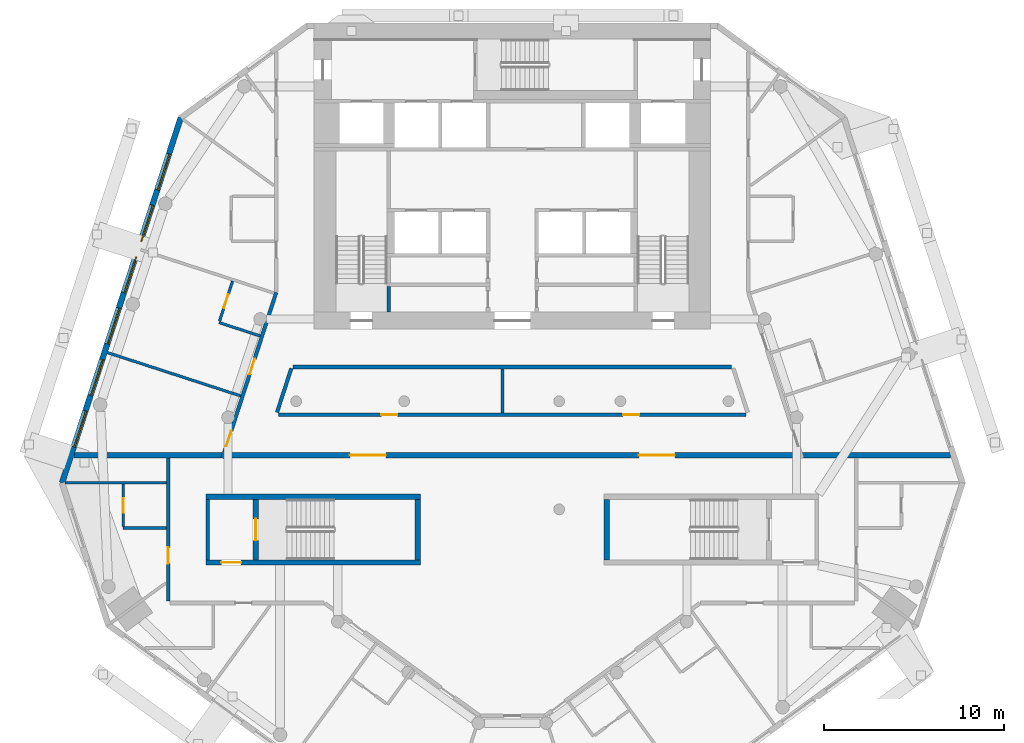
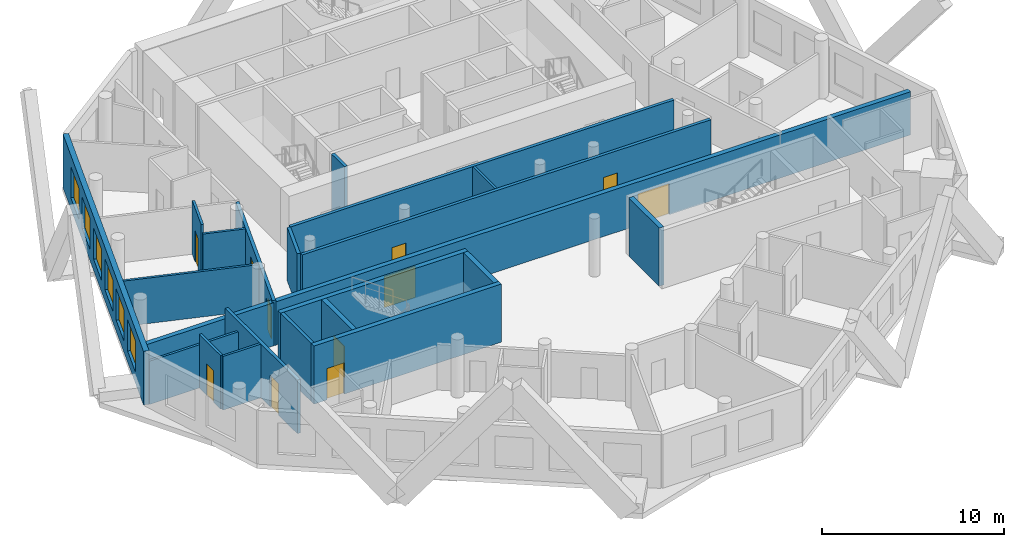
# One storey, part 4 of 10: 21 walls, 11 doors, 6 windows, 17 openings.
"""IFC4 building model written with IfcOpenShell, lengths in metres."""

from ifc_helpers import new_model, si_unit, direction, frame, frame_2d, origin, place, context, subcontext, project, spatial, rectangle, extrude, material, layer, layer_set, type_object, element, fill, save


model = new_model("IFC4")

# Units and contexts
model_context = context("Model", 3, precision=1e-05, world=origin(), true_north=direction((0.0, 1.0)))
body_context = subcontext(model_context, "Body", "Model", "MODEL_VIEW")
ifc_project = project(units=[si_unit("LENGTHUNIT", "METRE"), si_unit("AREAUNIT", "SQUARE_METRE"), si_unit("VOLUMEUNIT", "CUBIC_METRE"), si_unit("PLANEANGLEUNIT", "RADIAN"), si_unit("MASSUNIT", "GRAM", prefix="KILO")], contexts=[model_context])

# Site, building, storey
site_placement = place(None, origin())
site = spatial("IfcSite", under=ifc_project, at=site_placement, CompositionType="ELEMENT")
building_placement = place(site_placement, origin())
building = spatial("IfcBuilding", under=site, at=building_placement, Name="White Candle Pilgrim Tower", CompositionType="ELEMENT")
storey_placement = place(building_placement, frame((0.0, 0.0, 183.699951171875)))
storey = spatial("IfcBuildingStorey", under=building, at=storey_placement, Name="L42", CompositionType="ELEMENT", Elevation=183.699951171875)

# Wall
ifc_material_1 = material(Name="Concrete C60/75", Category="concrete")
ifc_layer_1 = layer(ifc_material_1, 0.199951171875)
ifc_layer_set_1 = layer_set([ifc_layer_1], Name="Core wall 200 mm Concrete C60/75")
wall_type_1 = type_object("IfcWallType", Name="Core wall 200 mm Concrete C60/75", PredefinedType="SHEAR", material=ifc_layer_set_1)
wall_1_placement = place(storey_placement, frame((53.10009765625, 58.199951171875, 0.0), z_axis=(0.0, 0.0, 1.0), x_axis=(0.0, 1.0, 0.0)))
element("IfcWall", 1, at=wall_1_placement, inside=storey, type_object=wall_type_1, Name="WL-L42-C03", PredefinedType="SHEAR", context=body_context, shape_type="SweptSolid", body=[
    extrude(rectangle(XDim=3.35009765625, YDim=0.199951171875, at=frame_2d((1.675048828125, 0.0))), origin(), (0.0, 0.0, 1.0), 3.900146484375),
])

# Wall, openings, doors
ifc_material_2 = material(Name="Gypsum board on steel studs", Category="steel")
ifc_layer_2 = layer(ifc_material_2, 0.199951171875)
ifc_layer_set_2 = layer_set([ifc_layer_2], Name="Corridor wall 200 mm EI 45")
wall_type_2 = type_object("IfcWallType", Name="Corridor wall 200 mm EI 45", PredefinedType="PARTITIONING", material=ifc_layer_set_2)
wall_2_placement = place(storey_placement, frame((53.90869140625, 63.85009765625, 0.0), z_axis=(0.0, 0.0, 1.0), x_axis=(0.309011240603, 0.95105838579, 0.0)))
wall_2 = element("IfcWall", 2, at=wall_2_placement, inside=storey, type_object=wall_type_2, Name="WL-L42-P002", PredefinedType="PARTITIONING", context=body_context, shape_type="SweptSolid", body=[
    extrude(rectangle(XDim=9.6640625, YDim=0.199951171875, at=frame_2d((4.83203125, 0.0))), origin(), (0.0, 0.0, 1.0), 3.050048828125),
])
opening_1_placement = place(wall_2_placement, frame((0.68603515625, 0.0, 0.0)))
opening_1 = element("IfcOpeningElement", 3, at=opening_1_placement, cuts=wall_2, Name="Opening T13-124", PredefinedType="OPENING", context=body_context, shape_type="SweptSolid", body=[
    extrude(rectangle(XDim=0.89990234375, YDim=2.10009765625, at=frame_2d((0.449951171875, 1.050048828125))), frame((0.0, 0.10986328125, 0.0), z_axis=(0.0, -1.0, 0.0), x_axis=(1.0, 0.0, 0.0)), (0.0, 0.0, 1.0), 0.219970703125),
])
opening_2_placement = place(wall_2_placement, frame((4.89208984375, 0.0, 0.0)))
opening_2 = element("IfcOpeningElement", 4, at=opening_2_placement, cuts=wall_2, Name="Opening T13-125", PredefinedType="OPENING", context=body_context, shape_type="SweptSolid", body=[
    extrude(rectangle(XDim=0.89990234375, YDim=2.10009765625, at=frame_2d((0.449951171875, 1.050048828125))), frame((0.0, 0.10986328125, 0.0), z_axis=(0.0, -1.0, 0.0), x_axis=(1.0, 0.0, 0.0)), (0.0, 0.0, 1.0), 0.219970703125),
])
ifc_material_3 = material(Name="Steel door leaf", Category="steel")
door_type_1 = type_object("IfcDoorType", Name="Fire door 900 x 2100 EI 30", OperationType="NOTDEFINED", PredefinedType="DOOR", material=ifc_material_3)
door_1_placement = place(opening_1_placement, origin())
door_1 = element("IfcDoor", 5, at=door_1_placement, inside=storey, type_object=door_type_1, Name="Door T13-124", OperationType="SINGLE_SWING_RIGHT", OverallHeight=2.10009765625, OverallWidth=0.89990234375, PredefinedType="DOOR", context=body_context, shape_type="SweptSolid", body=[
    extrude(rectangle(XDim=0.89990234375, YDim=2.10009765625, at=frame_2d((0.449951171875, 1.050048828125))), frame((0.0, 0.02490234375, 0.0), z_axis=(0.0, -1.0, 0.0), x_axis=(1.0, 0.0, 0.0)), (0.0, 0.0, 1.0), 0.050048828125),
])
fill(opening_1, door_1)
door_2_placement = place(opening_2_placement, origin())
door_2 = element("IfcDoor", 6, at=door_2_placement, inside=storey, type_object=door_type_1, Name="Door T13-125", OperationType="SINGLE_SWING_LEFT", OverallHeight=2.10009765625, OverallWidth=0.89990234375, PredefinedType="DOOR", context=body_context, shape_type="SweptSolid", body=[
    extrude(rectangle(XDim=0.89990234375, YDim=2.10009765625, at=frame_2d((0.449951171875, 1.050048828125))), frame((0.0, 0.02490234375, 0.0), z_axis=(0.0, -1.0, 0.0), x_axis=(1.0, 0.0, 0.0)), (0.0, 0.0, 1.0), 0.050048828125),
])
fill(opening_2, door_2)

# Wall, opening, door
wall_3_placement = place(storey_placement, frame((50.89990234375, 55.89990234375, 0.0), z_axis=(0.0, 0.0, 1.0), x_axis=(0.0, 1.0, 0.0)))
wall_3 = element("IfcWall", 7, at=wall_3_placement, inside=storey, type_object=wall_type_2, Name="WL-L42-P012", PredefinedType="PARTITIONING", context=body_context, shape_type="SweptSolid", body=[
    extrude(rectangle(XDim=7.9501953125, YDim=0.199951171875, at=frame_2d((3.97509765625, 0.0))), origin(), (0.0, 0.0, 1.0), 3.60009765625),
])
opening_3_placement = place(wall_3_placement, frame((2.088134765625, 0.0, 0.0)))
opening_3 = element("IfcOpeningElement", 8, at=opening_3_placement, cuts=wall_3, Name="Opening T13-104", PredefinedType="OPENING", context=body_context, shape_type="SweptSolid", body=[
    extrude(rectangle(XDim=0.89990234375, YDim=2.10009765625, at=frame_2d((0.449951171875, 1.050048828125))), frame((0.0, 0.10986328125, 0.0), z_axis=(0.0, -1.0, 0.0), x_axis=(1.0, 0.0, 0.0)), (0.0, 0.0, 1.0), 0.219970703125),
])
door_3_placement = place(opening_3_placement, origin())
door_3 = element("IfcDoor", 9, at=door_3_placement, inside=storey, type_object=door_type_1, Name="Door T13-104", OperationType="SINGLE_SWING_RIGHT", OverallHeight=2.10009765625, OverallWidth=0.89990234375, PredefinedType="DOOR", context=body_context, shape_type="SweptSolid", body=[
    extrude(rectangle(XDim=0.89990234375, YDim=2.10009765625, at=frame_2d((0.449951171875, 1.050048828125))), frame((0.0, 0.02490234375, 0.0), z_axis=(0.0, -1.0, 0.0), x_axis=(1.0, 0.0, 0.0)), (0.0, 0.0, 1.0), 0.050048828125),
])
fill(opening_3, door_3)

# Walls
wall_4_placement = place(storey_placement, frame((82.169677734375, 68.89990234375, 0.0), z_axis=(0.0, 0.0, 1.0), x_axis=(-1.0, 0.0, 0.0)))
element("IfcWall", 10, at=wall_4_placement, inside=storey, type_object=wall_type_2, Name="WL-L42-P014", PredefinedType="PARTITIONING", context=body_context, shape_type="SweptSolid", body=[
    extrude(rectangle(XDim=24.33935546875, YDim=0.199951171875, at=frame_2d((12.169677734375, 0.0))), origin(), (0.0, 0.0, 1.0), 3.60009765625),
])
wall_5_placement = place(storey_placement, frame((57.735107421875, 68.830810546875, 0.0), z_axis=(0.0, 0.0, 1.0), x_axis=(-0.308968203288, -0.951072368097, 0.0)))
element("IfcWall", 11, at=wall_5_placement, inside=storey, type_object=wall_type_2, Name="WL-L42-P015", PredefinedType="PARTITIONING", context=body_context, shape_type="SweptSolid", body=[
    extrude(rectangle(XDim=2.575927734375, YDim=0.199951171875, at=frame_2d((1.2880859375, 0.0))), origin(), (0.0, 0.0, 1.0), 3.60009765625),
])

# Wall, openings, doors
wall_6_placement = place(storey_placement, frame((57.0341796875, 66.25, 0.0), z_axis=(0.0, 0.0, 1.0), x_axis=(1.0, 0.0, 0.0)))
wall_6 = element("IfcWall", 12, at=wall_6_placement, inside=storey, type_object=wall_type_2, Name="WL-L42-P016", PredefinedType="PARTITIONING", context=body_context, shape_type="SweptSolid", body=[
    extrude(rectangle(XDim=25.931640625, YDim=0.199951171875, at=frame_2d((12.9658203125, 0.0))), origin(), (0.0, 0.0, 1.0), 3.60009765625),
])
opening_4_placement = place(wall_6_placement, frame((5.6923828125, 0.0, 0.0)))
opening_4 = element("IfcOpeningElement", 13, at=opening_4_placement, cuts=wall_6, Name="Opening T13-122", PredefinedType="OPENING", context=body_context, shape_type="SweptSolid", body=[
    extrude(rectangle(XDim=0.89990234375, YDim=2.10009765625, at=frame_2d((0.449951171875, 1.050048828125))), frame((0.0, 0.10986328125, 0.0), z_axis=(0.0, -1.0, 0.0), x_axis=(1.0, 0.0, 0.0)), (0.0, 0.0, 1.0), 0.219970703125),
])
opening_5_placement = place(wall_6_placement, frame((19.12060546875, 0.0, 0.0)))
opening_5 = element("IfcOpeningElement", 14, at=opening_5_placement, cuts=wall_6, Name="Opening T13-123", PredefinedType="OPENING", context=body_context, shape_type="SweptSolid", body=[
    extrude(rectangle(XDim=0.89990234375, YDim=2.10009765625, at=frame_2d((0.449951171875, 1.050048828125))), frame((0.0, 0.10986328125, 0.0), z_axis=(0.0, -1.0, 0.0), x_axis=(1.0, 0.0, 0.0)), (0.0, 0.0, 1.0), 0.219970703125),
])
door_4_placement = place(opening_4_placement, origin())
door_4 = element("IfcDoor", 15, at=door_4_placement, inside=storey, type_object=door_type_1, Name="Door T13-122", OperationType="SINGLE_SWING_RIGHT", OverallHeight=2.10009765625, OverallWidth=0.89990234375, PredefinedType="DOOR", context=body_context, shape_type="SweptSolid", body=[
    extrude(rectangle(XDim=0.89990234375, YDim=2.10009765625, at=frame_2d((0.449951171875, 1.050048828125))), frame((0.0, 0.02490234375, 0.0), z_axis=(0.0, -1.0, 0.0), x_axis=(1.0, 0.0, 0.0)), (0.0, 0.0, 1.0), 0.050048828125),
])
fill(opening_4, door_4)
door_5_placement = place(opening_5_placement, origin())
door_5 = element("IfcDoor", 16, at=door_5_placement, inside=storey, type_object=door_type_1, Name="Door T13-123", OperationType="SINGLE_SWING_RIGHT", OverallHeight=2.10009765625, OverallWidth=0.89990234375, PredefinedType="DOOR", context=body_context, shape_type="SweptSolid", body=[
    extrude(rectangle(XDim=0.89990234375, YDim=2.10009765625, at=frame_2d((0.449951171875, 1.050048828125))), frame((0.0, 0.02490234375, 0.0), z_axis=(0.0, -1.0, 0.0), x_axis=(1.0, 0.0, 0.0)), (0.0, 0.0, 1.0), 0.050048828125),
])
fill(opening_5, door_5)

# Wall, openings, windows
ifc_material_4 = material(Name="Precast concrete C40/50", Category="concrete")
ifc_layer_3 = layer(ifc_material_4, 0.320068359375)
ifc_layer_set_3 = layer_set([ifc_layer_3], Name="Facade wall EW1 precast concrete C40/50 pier wall with timber-lined reveals")
wall_type_3 = type_object("IfcWallType", Name="Facade wall EW1 precast concrete C40/50 pier wall with timber-lined reveals", PredefinedType="SOLIDWALL", material=ifc_layer_set_3)
wall_7_placement = place(storey_placement, frame((51.591796875, 82.7373046875, 0.0), z_axis=(0.0, 0.0, 1.0), x_axis=(-0.309014571298, -0.951057303597, 0.0)))
wall_7 = element("IfcWall", 17, at=wall_7_placement, inside=storey, type_object=wall_type_3, Name="Facade wall L42 WNW", PredefinedType="SOLIDWALL", context=body_context, shape_type="SweptSolid", body=[
    extrude(rectangle(XDim=21.3095703125, YDim=0.320068359375, at=frame_2d((10.65478515625, 0.0))), origin(), (0.0, 0.0, 1.0), 3.60009765625),
])
opening_6_placement = place(wall_7_placement, frame((2.104736328125, 0.0, 0.75)))
opening_6 = element("IfcOpeningElement", 18, at=opening_6_placement, cuts=wall_7, Name="Opening W3", PredefinedType="OPENING", context=body_context, shape_type="SweptSolid", body=[
    extrude(rectangle(XDim=2.10009765625, YDim=2.10009765625, at=frame_2d((1.050048828125, 1.050048828125))), frame((0.0, 0.169921875, 0.0), z_axis=(0.0, -1.0, 0.0), x_axis=(1.0, 0.0, 0.0)), (0.0, 0.0, 1.0), 0.340087890625),
])
opening_7_placement = place(wall_7_placement, frame((5.104736328125, 0.0, 0.75)))
opening_7 = element("IfcOpeningElement", 19, at=opening_7_placement, cuts=wall_7, Name="Opening W3", PredefinedType="OPENING", context=body_context, shape_type="SweptSolid", body=[
    extrude(rectangle(XDim=2.10009765625, YDim=2.10009765625, at=frame_2d((1.050048828125, 1.050048828125))), frame((0.0, 0.169921875, 0.0), z_axis=(0.0, -1.0, 0.0), x_axis=(1.0, 0.0, 0.0)), (0.0, 0.0, 1.0), 0.340087890625),
])
opening_8_placement = place(wall_7_placement, frame((8.104736328125, 0.0, 0.75)))
opening_8 = element("IfcOpeningElement", 20, at=opening_8_placement, cuts=wall_7, Name="Opening W3", PredefinedType="OPENING", context=body_context, shape_type="SweptSolid", body=[
    extrude(rectangle(XDim=2.10009765625, YDim=2.10009765625, at=frame_2d((1.050048828125, 1.050048828125))), frame((0.0, 0.169921875, 0.0), z_axis=(0.0, -1.0, 0.0), x_axis=(1.0, 0.0, 0.0)), (0.0, 0.0, 1.0), 0.340087890625),
])
opening_9_placement = place(wall_7_placement, frame((11.104736328125, 0.0, 0.75)))
opening_9 = element("IfcOpeningElement", 21, at=opening_9_placement, cuts=wall_7, Name="Opening W3", PredefinedType="OPENING", context=body_context, shape_type="SweptSolid", body=[
    extrude(rectangle(XDim=2.10009765625, YDim=2.10009765625, at=frame_2d((1.050048828125, 1.050048828125))), frame((0.0, 0.169921875, 0.0), z_axis=(0.0, -1.0, 0.0), x_axis=(1.0, 0.0, 0.0)), (0.0, 0.0, 1.0), 0.340087890625),
])
opening_10_placement = place(wall_7_placement, frame((14.104736328125, 0.0, 0.75)))
opening_10 = element("IfcOpeningElement", 22, at=opening_10_placement, cuts=wall_7, Name="Opening W3", PredefinedType="OPENING", context=body_context, shape_type="SweptSolid", body=[
    extrude(rectangle(XDim=2.10009765625, YDim=2.10009765625, at=frame_2d((1.050048828125, 1.050048828125))), frame((0.0, 0.169921875, 0.0), z_axis=(0.0, -1.0, 0.0), x_axis=(1.0, 0.0, 0.0)), (0.0, 0.0, 1.0), 0.340087890625),
])
opening_11_placement = place(wall_7_placement, frame((17.104736328125, 0.0, 0.75)))
opening_11 = element("IfcOpeningElement", 23, at=opening_11_placement, cuts=wall_7, Name="Opening W3", PredefinedType="OPENING", context=body_context, shape_type="SweptSolid", body=[
    extrude(rectangle(XDim=2.10009765625, YDim=2.10009765625, at=frame_2d((1.050048828125, 1.050048828125))), frame((0.0, 0.169921875, 0.0), z_axis=(0.0, -1.0, 0.0), x_axis=(1.0, 0.0, 0.0)), (0.0, 0.0, 1.0), 0.340087890625),
])
ifc_material_5 = material(Name="Timber frame with triple glazing", Category="wood")
window_type = type_object("IfcWindowType", Name="Window W3 2100x2100 timber frame triple glazing", PartitioningType="SINGLE_PANEL", PredefinedType="WINDOW", material=ifc_material_5)
window_1_placement = place(opening_6_placement, origin())
window_1 = element("IfcWindow", 24, at=window_1_placement, inside=storey, type_object=window_type, Name="Window W3 L42 WNW 1", OverallHeight=2.10009765625, OverallWidth=2.10009765625, PartitioningType="SINGLE_PANEL", PredefinedType="WINDOW", context=body_context, shape_type="SweptSolid", body=[
    extrude(rectangle(XDim=2.10009765625, YDim=2.10009765625, at=frame_2d((1.050048828125, 1.050048828125))), frame((0.0, 0.070068359375, 0.0), z_axis=(0.0, -1.0, 0.0), x_axis=(1.0, 0.0, 0.0)), (0.0, 0.0, 1.0), 0.06005859375),
])
fill(opening_6, window_1)
window_2_placement = place(opening_7_placement, origin())
window_2 = element("IfcWindow", 25, at=window_2_placement, inside=storey, type_object=window_type, Name="Window W3 L42 WNW 2", OverallHeight=2.10009765625, OverallWidth=2.10009765625, PartitioningType="SINGLE_PANEL", PredefinedType="WINDOW", context=body_context, shape_type="SweptSolid", body=[
    extrude(rectangle(XDim=2.10009765625, YDim=2.10009765625, at=frame_2d((1.050048828125, 1.050048828125))), frame((0.0, 0.070068359375, 0.0), z_axis=(0.0, -1.0, 0.0), x_axis=(1.0, 0.0, 0.0)), (0.0, 0.0, 1.0), 0.06005859375),
])
fill(opening_7, window_2)
window_3_placement = place(opening_8_placement, origin())
window_3 = element("IfcWindow", 26, at=window_3_placement, inside=storey, type_object=window_type, Name="Window W3 L42 WNW 3", OverallHeight=2.10009765625, OverallWidth=2.10009765625, PartitioningType="SINGLE_PANEL", PredefinedType="WINDOW", context=body_context, shape_type="SweptSolid", body=[
    extrude(rectangle(XDim=2.10009765625, YDim=2.10009765625, at=frame_2d((1.050048828125, 1.050048828125))), frame((0.0, 0.070068359375, 0.0), z_axis=(0.0, -1.0, 0.0), x_axis=(1.0, 0.0, 0.0)), (0.0, 0.0, 1.0), 0.06005859375),
])
fill(opening_8, window_3)
window_4_placement = place(opening_9_placement, origin())
window_4 = element("IfcWindow", 27, at=window_4_placement, inside=storey, type_object=window_type, Name="Window W3 L42 WNW 4", OverallHeight=2.10009765625, OverallWidth=2.10009765625, PartitioningType="SINGLE_PANEL", PredefinedType="WINDOW", context=body_context, shape_type="SweptSolid", body=[
    extrude(rectangle(XDim=2.10009765625, YDim=2.10009765625, at=frame_2d((1.050048828125, 1.050048828125))), frame((0.0, 0.070068359375, 0.0), z_axis=(0.0, -1.0, 0.0), x_axis=(1.0, 0.0, 0.0)), (0.0, 0.0, 1.0), 0.06005859375),
])
fill(opening_9, window_4)
window_5_placement = place(opening_10_placement, origin())
window_5 = element("IfcWindow", 28, at=window_5_placement, inside=storey, type_object=window_type, Name="Window W3 L42 WNW 5", OverallHeight=2.10009765625, OverallWidth=2.10009765625, PartitioningType="SINGLE_PANEL", PredefinedType="WINDOW", context=body_context, shape_type="SweptSolid", body=[
    extrude(rectangle(XDim=2.10009765625, YDim=2.10009765625, at=frame_2d((1.050048828125, 1.050048828125))), frame((0.0, 0.070068359375, 0.0), z_axis=(0.0, -1.0, 0.0), x_axis=(1.0, 0.0, 0.0)), (0.0, 0.0, 1.0), 0.06005859375),
])
fill(opening_10, window_5)
window_6_placement = place(opening_11_placement, origin())
window_6 = element("IfcWindow", 29, at=window_6_placement, inside=storey, type_object=window_type, Name="Window W3 L42 WNW 6", OverallHeight=2.10009765625, OverallWidth=2.10009765625, PartitioningType="SINGLE_PANEL", PredefinedType="WINDOW", context=body_context, shape_type="SweptSolid", body=[
    extrude(rectangle(XDim=2.10009765625, YDim=2.10009765625, at=frame_2d((1.050048828125, 1.050048828125))), frame((0.0, 0.070068359375, 0.0), z_axis=(0.0, -1.0, 0.0), x_axis=(1.0, 0.0, 0.0)), (0.0, 0.0, 1.0), 0.06005859375),
])
fill(opening_11, window_6)

# Wall, openings, doors
ifc_material_6 = material(Name="Aerated concrete block", Category="concrete")
ifc_layer_4 = layer(ifc_material_6, 0.300048828125)
ifc_layer_set_4 = layer_set([ifc_layer_4], Name="Fire wall 300 mm REI 240")
wall_type_4 = type_object("IfcWallType", Name="Fire wall 300 mm REI 240", PredefinedType="PARTITIONING", material=ifc_layer_set_4)
wall_8_placement = place(storey_placement, frame((45.671875, 64.0, 0.0), z_axis=(0.0, 0.0, 1.0), x_axis=(1.0, 0.0, 0.0)))
wall_8 = element("IfcWall", 30, at=wall_8_placement, inside=storey, type_object=wall_type_4, Name="WL-L42-P001", PredefinedType="PARTITIONING", context=body_context, shape_type="SweptSolid", body=[
    extrude(rectangle(XDim=48.65625, YDim=0.300048828125, at=frame_2d((24.328125, 0.0))), origin(), (0.0, 0.0, 1.0), 2.900146484375),
])
opening_12_placement = place(wall_8_placement, frame((15.306884765625, 0.0, 0.0)))
opening_12 = element("IfcOpeningElement", 31, at=opening_12_placement, cuts=wall_8, Name="Opening T13-120", PredefinedType="OPENING", context=body_context, shape_type="SweptSolid", body=[
    extrude(rectangle(XDim=2.0, YDim=2.10009765625, at=frame_2d((1.0, 1.050048828125))), frame((0.0, 0.159912109375, 0.0), z_axis=(0.0, -1.0, 0.0), x_axis=(1.0, 0.0, 0.0)), (0.0, 0.0, 1.0), 0.320068359375),
])
opening_13_placement = place(wall_8_placement, frame((31.349365234375, 0.0, 0.0)))
opening_13 = element("IfcOpeningElement", 32, at=opening_13_placement, cuts=wall_8, Name="Opening T13-121", PredefinedType="OPENING", context=body_context, shape_type="SweptSolid", body=[
    extrude(rectangle(XDim=2.0, YDim=2.10009765625, at=frame_2d((1.0, 1.050048828125))), frame((0.0, 0.159912109375, 0.0), z_axis=(0.0, -1.0, 0.0), x_axis=(1.0, 0.0, 0.0)), (0.0, 0.0, 1.0), 0.320068359375),
])
door_type_2 = type_object("IfcDoorType", Name="Fire door 2000 x 2100 EI 60", OperationType="NOTDEFINED", PredefinedType="DOOR", material=ifc_material_3)
door_6_placement = place(opening_12_placement, origin())
door_6 = element("IfcDoor", 33, at=door_6_placement, inside=storey, type_object=door_type_2, Name="Door T13-120", OperationType="DOUBLE_DOOR_SINGLE_SWING", OverallHeight=2.10009765625, OverallWidth=2.0, PredefinedType="DOOR", context=body_context, shape_type="SweptSolid", body=[
    extrude(rectangle(XDim=2.0, YDim=2.10009765625, at=frame_2d((1.0, 1.050048828125))), frame((0.0, 0.02490234375, 0.0), z_axis=(0.0, -1.0, 0.0), x_axis=(1.0, 0.0, 0.0)), (0.0, 0.0, 1.0), 0.050048828125),
])
fill(opening_12, door_6)
door_7_placement = place(opening_13_placement, origin())
door_7 = element("IfcDoor", 34, at=door_7_placement, inside=storey, type_object=door_type_2, Name="Door T13-121", OperationType="DOUBLE_DOOR_SINGLE_SWING", OverallHeight=2.10009765625, OverallWidth=2.0, PredefinedType="DOOR", context=body_context, shape_type="SweptSolid", body=[
    extrude(rectangle(XDim=2.0, YDim=2.10009765625, at=frame_2d((1.0, 1.050048828125))), frame((0.0, 0.02490234375, 0.0), z_axis=(0.0, -1.0, 0.0), x_axis=(1.0, 0.0, 0.0)), (0.0, 0.0, 1.0), 0.050048828125),
])
fill(opening_13, door_7)

# Walls
ifc_layer_5 = layer(ifc_material_2, 0.14990234375)
ifc_layer_set_5 = layer_set([ifc_layer_5], Name="Partition 150 mm EI 60")
wall_type_5 = type_object("IfcWallType", Name="Partition 150 mm EI 60", PredefinedType="PARTITIONING", material=ifc_layer_set_5)
wall_9_placement = place(storey_placement, frame((45.175048828125, 62.470703125, 0.0), z_axis=(0.0, 0.0, 1.0), x_axis=(1.0, 0.0, 0.0)))
element("IfcWall", 35, at=wall_9_placement, inside=storey, type_object=wall_type_5, Name="WL-L42-P018", PredefinedType="PARTITIONING", context=body_context, shape_type="SweptSolid", body=[
    extrude(rectangle(XDim=5.625, YDim=0.14990234375, at=frame_2d((2.8125, 0.0))), origin(), (0.0, 0.0, 1.0), 2.900146484375),
])
wall_10_placement = place(storey_placement, frame((47.5244140625, 69.701416015625, 0.0), z_axis=(0.0, 0.0, 1.0), x_axis=(0.951059663309, -0.309007308694, 0.0)))
element("IfcWall", 36, at=wall_10_placement, inside=storey, type_object=wall_type_5, Name="WL-L42-P027", PredefinedType="PARTITIONING", context=body_context, shape_type="SweptSolid", body=[
    extrude(rectangle(XDim=7.780029296875, YDim=0.14990234375, at=frame_2d((3.89013671875, 0.0))), origin(), (0.0, 0.0, 1.0), 3.050048828125),
])
wall_11_placement = place(storey_placement, frame((56.005126953125, 70.6259765625, 0.0), z_axis=(0.0, 0.0, 1.0), x_axis=(-0.951046776628, 0.309046968381, 0.0)))
element("IfcWall", 37, at=wall_11_placement, inside=storey, type_object=wall_type_5, Name="WL-L42-P031", PredefinedType="PARTITIONING", context=body_context, shape_type="SweptSolid", body=[
    extrude(rectangle(XDim=2.39990234375, YDim=0.14990234375, at=frame_2d((1.199951171875, 0.0))), origin(), (0.0, 0.0, 1.0), 3.050048828125),
])

# Wall, opening, door
wall_12_placement = place(storey_placement, frame((54.471923828125, 73.673828125, 0.0), z_axis=(0.0, 0.0, 1.0), x_axis=(-0.308987401554, -0.951066131077, 0.0)))
wall_12 = element("IfcWall", 38, at=wall_12_placement, inside=storey, type_object=wall_type_5, Name="WL-L42-P032", PredefinedType="PARTITIONING", context=body_context, shape_type="SweptSolid", body=[
    extrude(rectangle(XDim=2.349853515625, YDim=0.14990234375, at=frame_2d((1.1748046875, 0.0))), origin(), (0.0, 0.0, 1.0), 3.60009765625),
])
opening_14_placement = place(wall_12_placement, frame((0.77490234375, 0.0, 0.0)))
opening_14 = element("IfcOpeningElement", 39, at=opening_14_placement, cuts=wall_12, Name="Opening T13-102", PredefinedType="OPENING", context=body_context, shape_type="SweptSolid", body=[
    extrude(rectangle(XDim=0.800048828125, YDim=2.10009765625, at=frame_2d((0.39990234375, 1.050048828125))), frame((0.0, 0.0849609375, 0.0), z_axis=(0.0, -1.0, 0.0), x_axis=(1.0, 0.0, 0.0)), (0.0, 0.0, 1.0), 0.169921875),
])
door_type_3 = type_object("IfcDoorType", Name="Fire door 800 x 2100 EI 30", OperationType="NOTDEFINED", PredefinedType="DOOR", material=ifc_material_3)
door_8_placement = place(opening_14_placement, frame((0.800048828125, 0.0, 0.0), z_axis=(0.0, 0.0, 1.0), x_axis=(-1.0, 0.0, 0.0)))
door_8 = element("IfcDoor", 40, at=door_8_placement, inside=storey, type_object=door_type_3, Name="Door T13-102", OperationType="SINGLE_SWING_LEFT", OverallHeight=2.10009765625, OverallWidth=0.800048828125, PredefinedType="DOOR", context=body_context, shape_type="SweptSolid", body=[
    extrude(rectangle(XDim=0.800048828125, YDim=2.10009765625, at=frame_2d((0.39990234375, 1.050048828125))), frame((0.0, 0.02490234375, 0.0), z_axis=(0.0, -1.0, 0.0), x_axis=(1.0, 0.0, 0.0)), (0.0, 0.0, 1.0), 0.050048828125),
])
fill(opening_14, door_8)

# Wall
wall_13_placement = place(storey_placement, frame((50.800048828125, 59.970703125, 0.0), z_axis=(0.0, 0.0, 1.0), x_axis=(-1.0, 0.0, 0.0)))
element("IfcWall", 41, at=wall_13_placement, inside=storey, type_object=wall_type_5, Name="WL-L42-P033", PredefinedType="PARTITIONING", context=body_context, shape_type="SweptSolid", body=[
    extrude(rectangle(XDim=2.400146484375, YDim=0.14990234375, at=frame_2d((1.2001953125, 0.0))), origin(), (0.0, 0.0, 1.0), 3.60009765625),
])

# Wall, opening, door
wall_14_placement = place(storey_placement, frame((48.39990234375, 62.395751953125, 0.0), z_axis=(0.0, 0.0, 1.0), x_axis=(0.0, -1.0, 0.0)))
wall_14 = element("IfcWall", 42, at=wall_14_placement, inside=storey, type_object=wall_type_5, Name="WL-L42-P034", PredefinedType="PARTITIONING", context=body_context, shape_type="SweptSolid", body=[
    extrude(rectangle(XDim=2.35009765625, YDim=0.14990234375, at=frame_2d((1.175048828125, 0.0))), origin(), (0.0, 0.0, 1.0), 3.60009765625),
])
opening_15_placement = place(wall_14_placement, frame((0.77490234375, 0.0, 0.0)))
opening_15 = element("IfcOpeningElement", 43, at=opening_15_placement, cuts=wall_14, Name="Opening T13-103", PredefinedType="OPENING", context=body_context, shape_type="SweptSolid", body=[
    extrude(rectangle(XDim=0.800048828125, YDim=2.10009765625, at=frame_2d((0.39990234375, 1.050048828125))), frame((0.0, 0.0849609375, 0.0), z_axis=(0.0, -1.0, 0.0), x_axis=(1.0, 0.0, 0.0)), (0.0, 0.0, 1.0), 0.169921875),
])
door_9_placement = place(opening_15_placement, frame((0.800048828125, 0.0, 0.0), z_axis=(0.0, 0.0, 1.0), x_axis=(-1.0, 0.0, 0.0)))
door_9 = element("IfcDoor", 44, at=door_9_placement, inside=storey, type_object=door_type_3, Name="Door T13-103", OperationType="SINGLE_SWING_RIGHT", OverallHeight=2.10009765625, OverallWidth=0.800048828125, PredefinedType="DOOR", context=body_context, shape_type="SweptSolid", body=[
    extrude(rectangle(XDim=0.800048828125, YDim=2.10009765625, at=frame_2d((0.39990234375, 1.050048828125))), frame((0.0, 0.02490234375, 0.0), z_axis=(0.0, -1.0, 0.0), x_axis=(1.0, 0.0, 0.0)), (0.0, 0.0, 1.0), 0.050048828125),
])
fill(opening_15, door_9)

# Walls
wall_15_placement = place(storey_placement, frame((69.45654296875, 66.35009765625, 0.0), z_axis=(0.0, 0.0, 1.0), x_axis=(0.0, 1.0, 0.0)))
element("IfcWall", 45, at=wall_15_placement, inside=storey, type_object=wall_type_5, Name="WL-L42-P059", PredefinedType="PARTITIONING", context=body_context, shape_type="SweptSolid", body=[
    extrude(rectangle(XDim=2.449951171875, YDim=0.14990234375, at=frame_2d((1.22509765625, 0.0))), origin(), (0.0, 0.0, 1.0), 3.60009765625),
])
ifc_layer_6 = layer(ifc_material_1, 0.199951171875)
ifc_layer_set_6 = layer_set([ifc_layer_6], Name="Stair shaft wall 200 mm Concrete C60/75")
wall_type_6 = type_object("IfcWallType", Name="Stair shaft wall 200 mm Concrete C60/75", PredefinedType="SHEAR", material=ifc_layer_set_6)
wall_16_placement = place(storey_placement, frame((63.14990234375, 71.949951171875, 0.0), z_axis=(0.0, 0.0, 1.0), x_axis=(0.0, 1.0, 0.0)))
element("IfcWall", 46, at=wall_16_placement, inside=storey, type_object=wall_type_6, Name="WL-L42-C13", PredefinedType="SHEAR", context=body_context, shape_type="SweptSolid", body=[
    extrude(rectangle(XDim=1.425048828125, YDim=0.199951171875, at=frame_2d((0.71240234375, 0.0))), origin(), (0.0, 0.0, 1.0), 3.900146484375),
])

# Wall, opening, door
ifc_layer_7 = layer(ifc_material_1, 0.300048828125)
ifc_layer_set_7 = layer_set([ifc_layer_7], Name="Stair shaft wall 300 mm Concrete C60/75")
wall_type_7 = type_object("IfcWallType", Name="Stair shaft wall 300 mm Concrete C60/75", PredefinedType="SHEAR", material=ifc_layer_set_7)
wall_17_placement = place(storey_placement, frame((53.0, 58.050048828125, 0.0), z_axis=(0.0, 0.0, 1.0), x_axis=(1.0, 0.0, 0.0)))
wall_17 = element("IfcWall", 47, at=wall_17_placement, inside=storey, type_object=wall_type_7, Name="WL-L42-C01", PredefinedType="SHEAR", context=body_context, shape_type="SweptSolid", body=[
    extrude(rectangle(XDim=11.89990234375, YDim=0.300048828125, at=frame_2d((5.949951171875, 0.0))), origin(), (0.0, 0.0, 1.0), 3.900146484375),
])
opening_16_placement = place(wall_17_placement, frame((0.85009765625, 0.0, 0.0)))
opening_16 = element("IfcOpeningElement", 48, at=opening_16_placement, cuts=wall_17, Name="Opening T13-011", PredefinedType="OPENING", context=body_context, shape_type="SweptSolid", body=[
    extrude(rectangle(XDim=1.10009765625, YDim=2.10009765625, at=frame_2d((0.550048828125, 1.050048828125))), frame((0.0, 0.159912109375, 0.0), z_axis=(0.0, -1.0, 0.0), x_axis=(1.0, 0.0, 0.0)), (0.0, 0.0, 1.0), 0.320068359375),
])
door_type_4 = type_object("IfcDoorType", Name="Fire door 1100 x 2100 EI 60", OperationType="NOTDEFINED", PredefinedType="DOOR", material=ifc_material_3)
door_10_placement = place(opening_16_placement, origin())
door_10 = element("IfcDoor", 49, at=door_10_placement, inside=storey, type_object=door_type_4, Name="Door T13-011", OperationType="SINGLE_SWING_LEFT", OverallHeight=2.10009765625, OverallWidth=1.10009765625, PredefinedType="DOOR", context=body_context, shape_type="SweptSolid", body=[
    extrude(rectangle(XDim=1.10009765625, YDim=2.10009765625, at=frame_2d((0.550048828125, 1.050048828125))), frame((0.0, 0.02490234375, 0.0), z_axis=(0.0, -1.0, 0.0), x_axis=(1.0, 0.0, 0.0)), (0.0, 0.0, 1.0), 0.050048828125),
])
fill(opening_16, door_10)

wall_18_placement = place(storey_placement, frame((55.75, 58.199951171875, 0.0), z_axis=(0.0, 0.0, 1.0), x_axis=(0.0, 1.0, 0.0)))
wall_18 = element("IfcWall", 50, at=wall_18_placement, inside=storey, type_object=wall_type_7, Name="WL-L42-C04", PredefinedType="SHEAR", context=body_context, shape_type="SweptSolid", body=[
    extrude(rectangle(XDim=3.35009765625, YDim=0.300048828125, at=frame_2d((1.675048828125, 0.0))), origin(), (0.0, 0.0, 1.0), 3.900146484375),
])
opening_17_placement = place(wall_18_placement, frame((1.074951171875, 0.0, 0.0)))
opening_17 = element("IfcOpeningElement", 51, at=opening_17_placement, cuts=wall_18, Name="Opening T13-012", PredefinedType="OPENING", context=body_context, shape_type="SweptSolid", body=[
    extrude(rectangle(XDim=1.199951171875, YDim=2.10009765625, at=frame_2d((0.60009765625, 1.050048828125))), frame((0.0, 0.159912109375, 0.0), z_axis=(0.0, -1.0, 0.0), x_axis=(1.0, 0.0, 0.0)), (0.0, 0.0, 1.0), 0.320068359375),
])
door_type_5 = type_object("IfcDoorType", Name="Fire door 1200 x 2100 EI 60", OperationType="NOTDEFINED", PredefinedType="DOOR", material=ifc_material_3)
door_11_placement = place(opening_17_placement, frame((1.199951171875, 0.0, 0.0), z_axis=(0.0, 0.0, 1.0), x_axis=(-1.0, 0.0, 0.0)))
door_11 = element("IfcDoor", 52, at=door_11_placement, inside=storey, type_object=door_type_5, Name="Door T13-012", OperationType="SINGLE_SWING_LEFT", OverallHeight=2.10009765625, OverallWidth=1.199951171875, PredefinedType="DOOR", context=body_context, shape_type="SweptSolid", body=[
    extrude(rectangle(XDim=1.199951171875, YDim=2.10009765625, at=frame_2d((0.60009765625, 1.050048828125))), frame((0.0, 0.02490234375, 0.0), z_axis=(0.0, -1.0, 0.0), x_axis=(1.0, 0.0, 0.0)), (0.0, 0.0, 1.0), 0.050048828125),
])
fill(opening_17, door_11)

# Walls
for number, where, z_axis, x_axis, name in (
    (53, (64.75, 58.199951171875, 0.0), (0.0, 0.0, 1.0), (0.0, 1.0, 0.0), "WL-L42-C05"),
    (54, (75.25, 58.199951171875, 0.0), (0.0, 0.0, 1.0), (0.0, 1.0, 0.0), "WL-L42-C06"),
):
    element("IfcWall", number, at=place(storey_placement, frame(where, z_axis=z_axis, x_axis=x_axis)), inside=storey, type_object=wall_type_7, Name=name, PredefinedType="SHEAR", context=body_context, shape_type="SweptSolid", body=[
        extrude(rectangle(XDim=3.35009765625, YDim=0.300048828125, at=frame_2d((1.675048828125, 0.0))), origin(), (0.0, 0.0, 1.0), 3.900146484375),
    ])
wall_19_placement = place(storey_placement, frame((53.0, 61.699951171875, 0.0), z_axis=(0.0, 0.0, 1.0), x_axis=(1.0, 0.0, 0.0)))
element("IfcWall", 55, at=wall_19_placement, inside=storey, type_object=wall_type_7, Name="WL-L42-C09", PredefinedType="SHEAR", context=body_context, shape_type="SweptSolid", body=[
    extrude(rectangle(XDim=11.89990234375, YDim=0.300048828125, at=frame_2d((5.949951171875, 0.0))), origin(), (0.0, 0.0, 1.0), 3.900146484375),
])

save(model, "model.ifc")
